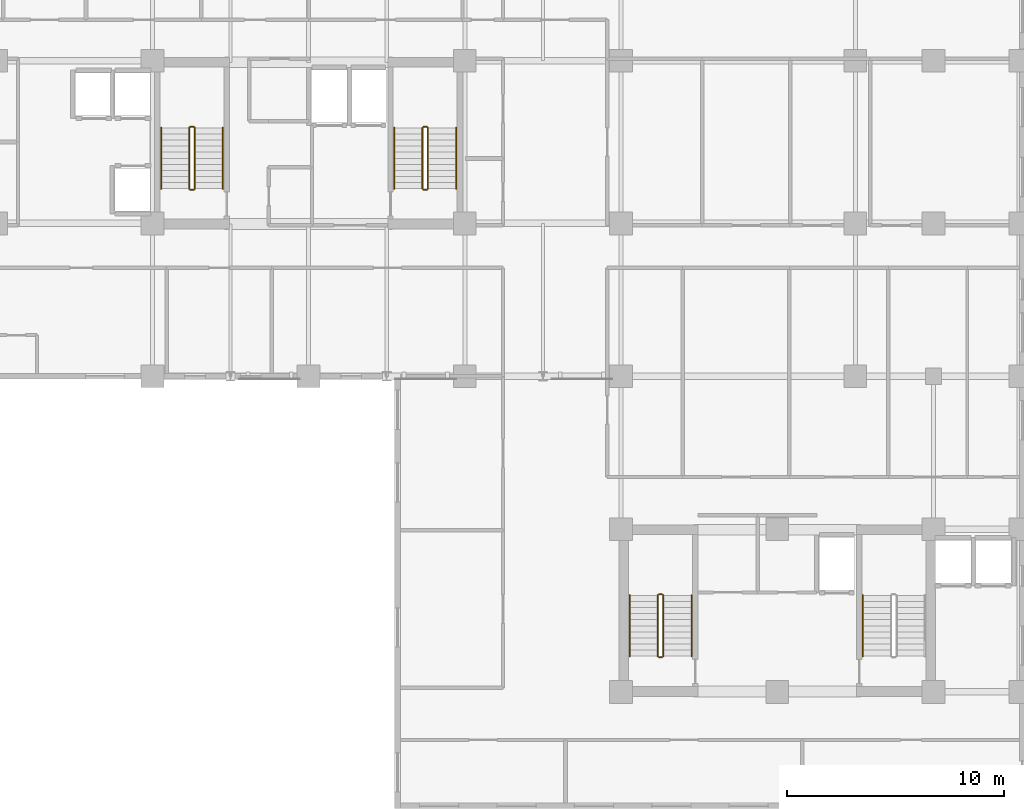
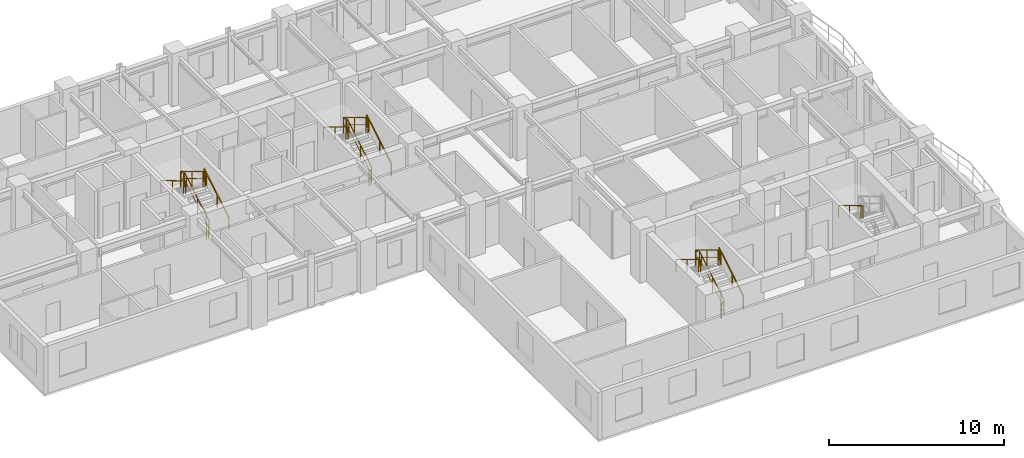
# One storey, part 11 of 13: 19 railings.
"""IFC4 building model written with IfcOpenShell, lengths in metres."""

from ifc_helpers import new_model, si_unit, direction, frame, origin, origin_2d, place, context, subcontext, project, spatial, rectangle, extrude, material, type_object, element, save


model = new_model("IFC4")

# Units and contexts
model_context = context("Model", 3, precision=1e-05, world=origin(), true_north=direction((0.0, 1.0)))
body_context = subcontext(model_context, "Body", "Model", "MODEL_VIEW")
ifc_project = project(units=[si_unit("LENGTHUNIT", "METRE"), si_unit("AREAUNIT", "SQUARE_METRE"), si_unit("VOLUMEUNIT", "CUBIC_METRE"), si_unit("PLANEANGLEUNIT", "RADIAN"), si_unit("MASSUNIT", "GRAM", prefix="KILO")], contexts=[model_context])

# Site, building, storey
site_placement = place(None, origin())
site = spatial("IfcSite", under=ifc_project, at=site_placement, CompositionType="ELEMENT")
building_placement = place(site_placement, origin())
building = spatial("IfcBuilding", under=site, at=building_placement, Name="Kaliganga Portal Commons", CompositionType="ELEMENT")
storey_placement = place(building_placement, frame((0.0, 0.0, 188.300048828125)))
storey = spatial("IfcBuildingStorey", under=building, at=storey_placement, Name="L48", CompositionType="ELEMENT", Elevation=188.300048828125)

# Railings
ifc_material_1 = material(Name="Galvanized Painted Steel Balustrade", Category="steel")
railing_type_1 = type_object("IfcRailingType", Name="RLG-STAIR-GRD", PredefinedType="GUARDRAIL", material=ifc_material_1)
railing_1_placement = place(storey_placement, frame((16.35009765625, 30.25, 0.168212890625)))
element("IfcRailing", 1, at=railing_1_placement, inside=storey, type_object=railing_type_1, Name="L48 ST-A1 stair guard 1", PredefinedType="GUARDRAIL", context=body_context, shape_type="SweptSolid", body=[
    extrude(rectangle(XDim=0.048095703125, YDim=0.048095703125, at=origin_2d()), frame((0.0, 0.0, 1.072021484375), z_axis=(0.0, 0.857275202839, 0.514858452973), x_axis=(-1.0, 0.0, 0.0)), (0.0, 0.0, 1.0), 3.26611328125),
    extrude(rectangle(XDim=0.028076171875, YDim=0.028076171875, at=origin_2d()), frame((0.0, 0.0, 0.572021484375), z_axis=(0.0, 0.857275202839, 0.514858452973), x_axis=(-1.0, 0.0, 0.0)), (0.0, 0.0, 1.0), 3.26611328125),
    extrude(rectangle(XDim=0.0419921875, YDim=0.0419921875, at=origin_2d()), origin(), (0.0, 0.0, 1.0), 1.052001953125),
    extrude(rectangle(XDim=0.0419921875, YDim=0.0419921875, at=origin_2d()), frame((0.0, 1.285888671875, 0.772216796875)), (0.0, 0.0, 1.0), 1.052001953125),
    extrude(rectangle(XDim=0.0419921875, YDim=0.0419921875, at=origin_2d()), frame((0.0, 2.57177734375, 1.544677734375)), (0.0, 0.0, 1.0), 1.052001953125),
    extrude(rectangle(XDim=0.0419921875, YDim=0.0419921875, at=origin_2d()), frame((0.0, 2.800048828125, 1.681640625)), (0.0, 0.0, 1.0), 1.052001953125),
])
railing_2_placement = place(storey_placement, frame((16.300048828125, 33.10009765625, 1.849853515625)))
element("IfcRailing", 2, at=railing_2_placement, inside=storey, type_object=railing_type_1, Name="L48 ST-A1 stair guard 2", PredefinedType="GUARDRAIL", context=body_context, shape_type="SweptSolid", body=[
    extrude(rectangle(XDim=0.048095703125, YDim=0.048095703125, at=origin_2d()), frame((0.0, 0.0, 1.076171875), z_axis=(-1.0, 0.0, 0.0), x_axis=(0.0, -1.0, 0.0)), (0.0, 0.0, 1.0), 0.150146484375),
    extrude(rectangle(XDim=0.028076171875, YDim=0.028076171875, at=origin_2d()), frame((0.0, 0.0, 0.572021484375), z_axis=(-1.0, 0.0, 0.0), x_axis=(0.0, -1.0, 0.0)), (0.0, 0.0, 1.0), 0.150146484375),
    extrude(rectangle(XDim=0.0419921875, YDim=0.0419921875, at=origin_2d()), origin(), (0.0, 0.0, 1.0), 1.052001953125),
    extrude(rectangle(XDim=0.0419921875, YDim=0.0419921875, at=origin_2d()), frame((-0.150146484375, 0.0, 0.0)), (0.0, 0.0, 1.0), 1.052001953125),
])
railing_3_placement = place(storey_placement, frame((16.10009765625, 33.050048828125, 2.01806640625)))
element("IfcRailing", 3, at=railing_3_placement, inside=storey, type_object=railing_type_1, Name="L48 ST-A1 stair guard 3", PredefinedType="GUARDRAIL", context=body_context, shape_type="SweptSolid", body=[
    extrude(rectangle(XDim=0.048095703125, YDim=0.048095703125, at=origin_2d()), frame((0.0, 0.0, 1.072021484375), z_axis=(0.0, -0.857242210791, 0.514913383045), x_axis=(1.0, 0.0, 0.0)), (0.0, 0.0, 1.0), 3.266357421875),
    extrude(rectangle(XDim=0.028076171875, YDim=0.028076171875, at=origin_2d()), frame((0.0, 0.0, 0.572021484375), z_axis=(0.0, -0.857242210791, 0.514913383045), x_axis=(1.0, 0.0, 0.0)), (0.0, 0.0, 1.0), 3.266357421875),
    extrude(rectangle(XDim=0.0419921875, YDim=0.0419921875, at=origin_2d()), origin(), (0.0, 0.0, 1.0), 1.052001953125),
    extrude(rectangle(XDim=0.0419921875, YDim=0.0419921875, at=origin_2d()), frame((0.0, -1.285888671875, 0.7724609375)), (0.0, 0.0, 1.0), 1.052001953125),
    extrude(rectangle(XDim=0.0419921875, YDim=0.0419921875, at=origin_2d()), frame((0.0, -2.57177734375, 1.544677734375)), (0.0, 0.0, 1.0), 1.052001953125),
    extrude(rectangle(XDim=0.0419921875, YDim=0.0419921875, at=origin_2d()), frame((0.0, -2.800048828125, 1.681884765625)), (0.0, 0.0, 1.0), 1.052001953125),
])
railing_4_placement = place(storey_placement, frame((16.300048828125, 30.199951171875, 0.0)))
element("IfcRailing", 4, at=railing_4_placement, inside=storey, type_object=railing_type_1, Name="L48 ST-A1 stair guard 4", PredefinedType="GUARDRAIL", context=body_context, shape_type="SweptSolid", body=[
    extrude(rectangle(XDim=0.048095703125, YDim=0.048095703125, at=origin_2d()), frame((0.0, 0.0, 1.076171875), z_axis=(-1.0, 0.0, 0.0), x_axis=(0.0, -1.0, 0.0)), (0.0, 0.0, 1.0), 0.150146484375),
    extrude(rectangle(XDim=0.028076171875, YDim=0.028076171875, at=origin_2d()), frame((0.0, 0.0, 0.572021484375), z_axis=(-1.0, 0.0, 0.0), x_axis=(0.0, -1.0, 0.0)), (0.0, 0.0, 1.0), 0.150146484375),
    extrude(rectangle(XDim=0.0419921875, YDim=0.0419921875, at=origin_2d()), origin(), (0.0, 0.0, 1.0), 1.052001953125),
    extrude(rectangle(XDim=0.0419921875, YDim=0.0419921875, at=origin_2d()), frame((-0.150146484375, 0.0, 0.0)), (0.0, 0.0, 1.0), 1.052001953125),
])
railing_5_placement = place(storey_placement, frame((27.10009765625, 30.25, 0.168212890625)))
element("IfcRailing", 5, at=railing_5_placement, inside=storey, type_object=railing_type_1, Name="L48 ST-A2 stair guard 1", PredefinedType="GUARDRAIL", context=body_context, shape_type="SweptSolid", body=[
    extrude(rectangle(XDim=0.048095703125, YDim=0.048095703125, at=origin_2d()), frame((0.0, 0.0, 1.072021484375), z_axis=(0.0, 0.857275202839, 0.514858452973), x_axis=(-1.0, 0.0, 0.0)), (0.0, 0.0, 1.0), 3.26611328125),
    extrude(rectangle(XDim=0.028076171875, YDim=0.028076171875, at=origin_2d()), frame((0.0, 0.0, 0.572021484375), z_axis=(0.0, 0.857275202839, 0.514858452973), x_axis=(-1.0, 0.0, 0.0)), (0.0, 0.0, 1.0), 3.26611328125),
    extrude(rectangle(XDim=0.0419921875, YDim=0.0419921875, at=origin_2d()), origin(), (0.0, 0.0, 1.0), 1.052001953125),
    extrude(rectangle(XDim=0.0419921875, YDim=0.0419921875, at=origin_2d()), frame((0.0, 1.285888671875, 0.772216796875)), (0.0, 0.0, 1.0), 1.052001953125),
    extrude(rectangle(XDim=0.0419921875, YDim=0.0419921875, at=origin_2d()), frame((0.0, 2.57177734375, 1.544677734375)), (0.0, 0.0, 1.0), 1.052001953125),
    extrude(rectangle(XDim=0.0419921875, YDim=0.0419921875, at=origin_2d()), frame((0.0, 2.800048828125, 1.681640625)), (0.0, 0.0, 1.0), 1.052001953125),
])
railing_6_placement = place(storey_placement, frame((27.050048828125, 33.10009765625, 1.849853515625)))
element("IfcRailing", 6, at=railing_6_placement, inside=storey, type_object=railing_type_1, Name="L48 ST-A2 stair guard 2", PredefinedType="GUARDRAIL", context=body_context, shape_type="SweptSolid", body=[
    extrude(rectangle(XDim=0.048095703125, YDim=0.048095703125, at=origin_2d()), frame((0.0, 0.0, 1.076171875), z_axis=(-1.0, 0.0, 0.0), x_axis=(0.0, -1.0, 0.0)), (0.0, 0.0, 1.0), 0.150146484375),
    extrude(rectangle(XDim=0.028076171875, YDim=0.028076171875, at=origin_2d()), frame((0.0, 0.0, 0.572021484375), z_axis=(-1.0, 0.0, 0.0), x_axis=(0.0, -1.0, 0.0)), (0.0, 0.0, 1.0), 0.150146484375),
    extrude(rectangle(XDim=0.0419921875, YDim=0.0419921875, at=origin_2d()), origin(), (0.0, 0.0, 1.0), 1.052001953125),
    extrude(rectangle(XDim=0.0419921875, YDim=0.0419921875, at=origin_2d()), frame((-0.150146484375, 0.0, 0.0)), (0.0, 0.0, 1.0), 1.052001953125),
])
railing_7_placement = place(storey_placement, frame((26.85009765625, 33.050048828125, 2.01806640625)))
element("IfcRailing", 7, at=railing_7_placement, inside=storey, type_object=railing_type_1, Name="L48 ST-A2 stair guard 3", PredefinedType="GUARDRAIL", context=body_context, shape_type="SweptSolid", body=[
    extrude(rectangle(XDim=0.048095703125, YDim=0.048095703125, at=origin_2d()), frame((0.0, 0.0, 1.072021484375), z_axis=(0.0, -0.857242210791, 0.514913383045), x_axis=(1.0, 0.0, 0.0)), (0.0, 0.0, 1.0), 3.266357421875),
    extrude(rectangle(XDim=0.028076171875, YDim=0.028076171875, at=origin_2d()), frame((0.0, 0.0, 0.572021484375), z_axis=(0.0, -0.857242210791, 0.514913383045), x_axis=(1.0, 0.0, 0.0)), (0.0, 0.0, 1.0), 3.266357421875),
    extrude(rectangle(XDim=0.0419921875, YDim=0.0419921875, at=origin_2d()), origin(), (0.0, 0.0, 1.0), 1.052001953125),
    extrude(rectangle(XDim=0.0419921875, YDim=0.0419921875, at=origin_2d()), frame((0.0, -1.285888671875, 0.7724609375)), (0.0, 0.0, 1.0), 1.052001953125),
    extrude(rectangle(XDim=0.0419921875, YDim=0.0419921875, at=origin_2d()), frame((0.0, -2.57177734375, 1.544677734375)), (0.0, 0.0, 1.0), 1.052001953125),
    extrude(rectangle(XDim=0.0419921875, YDim=0.0419921875, at=origin_2d()), frame((0.0, -2.800048828125, 1.681884765625)), (0.0, 0.0, 1.0), 1.052001953125),
])
railing_8_placement = place(storey_placement, frame((27.050048828125, 30.199951171875, 0.0)))
element("IfcRailing", 8, at=railing_8_placement, inside=storey, type_object=railing_type_1, Name="L48 ST-A2 stair guard 4", PredefinedType="GUARDRAIL", context=body_context, shape_type="SweptSolid", body=[
    extrude(rectangle(XDim=0.048095703125, YDim=0.048095703125, at=origin_2d()), frame((0.0, 0.0, 1.076171875), z_axis=(-1.0, 0.0, 0.0), x_axis=(0.0, -1.0, 0.0)), (0.0, 0.0, 1.0), 0.150146484375),
    extrude(rectangle(XDim=0.028076171875, YDim=0.028076171875, at=origin_2d()), frame((0.0, 0.0, 0.572021484375), z_axis=(-1.0, 0.0, 0.0), x_axis=(0.0, -1.0, 0.0)), (0.0, 0.0, 1.0), 0.150146484375),
    extrude(rectangle(XDim=0.0419921875, YDim=0.0419921875, at=origin_2d()), origin(), (0.0, 0.0, 1.0), 1.052001953125),
    extrude(rectangle(XDim=0.0419921875, YDim=0.0419921875, at=origin_2d()), frame((-0.150146484375, 0.0, 0.0)), (0.0, 0.0, 1.0), 1.052001953125),
])
railing_9_placement = place(storey_placement, frame((37.949951171875, 8.699951171875, 0.168212890625)))
element("IfcRailing", 9, at=railing_9_placement, inside=storey, type_object=railing_type_1, Name="L48 ST-B1 stair guard 1", PredefinedType="GUARDRAIL", context=body_context, shape_type="SweptSolid", body=[
    extrude(rectangle(XDim=0.048095703125, YDim=0.048095703125, at=origin_2d()), frame((0.0, 0.0, 1.072021484375), z_axis=(0.0, 0.857275202839, 0.514858452973), x_axis=(-1.0, 0.0, 0.0)), (0.0, 0.0, 1.0), 3.26611328125),
    extrude(rectangle(XDim=0.028076171875, YDim=0.028076171875, at=origin_2d()), frame((0.0, 0.0, 0.572021484375), z_axis=(0.0, 0.857275202839, 0.514858452973), x_axis=(-1.0, 0.0, 0.0)), (0.0, 0.0, 1.0), 3.26611328125),
    extrude(rectangle(XDim=0.0419921875, YDim=0.0419921875, at=origin_2d()), origin(), (0.0, 0.0, 1.0), 1.052001953125),
    extrude(rectangle(XDim=0.0419921875, YDim=0.0419921875, at=origin_2d()), frame((0.0, 1.285888671875, 0.772216796875)), (0.0, 0.0, 1.0), 1.052001953125),
    extrude(rectangle(XDim=0.0419921875, YDim=0.0419921875, at=origin_2d()), frame((0.0, 2.57177734375, 1.544677734375)), (0.0, 0.0, 1.0), 1.052001953125),
    extrude(rectangle(XDim=0.0419921875, YDim=0.0419921875, at=origin_2d()), frame((0.0, 2.800048828125, 1.681640625)), (0.0, 0.0, 1.0), 1.052001953125),
])
railing_10_placement = place(storey_placement, frame((37.89990234375, 11.550048828125, 1.849853515625)))
element("IfcRailing", 10, at=railing_10_placement, inside=storey, type_object=railing_type_1, Name="L48 ST-B1 stair guard 2", PredefinedType="GUARDRAIL", context=body_context, shape_type="SweptSolid", body=[
    extrude(rectangle(XDim=0.048095703125, YDim=0.048095703125, at=origin_2d()), frame((0.0, 0.0, 1.076171875), z_axis=(-1.0, 0.0, 0.0), x_axis=(0.0, -1.0, 0.0)), (0.0, 0.0, 1.0), 0.14990234375),
    extrude(rectangle(XDim=0.028076171875, YDim=0.028076171875, at=origin_2d()), frame((0.0, 0.0, 0.572021484375), z_axis=(-1.0, 0.0, 0.0), x_axis=(0.0, -1.0, 0.0)), (0.0, 0.0, 1.0), 0.14990234375),
    extrude(rectangle(XDim=0.0419921875, YDim=0.0419921875, at=origin_2d()), frame((-0.14990234375, 0.0, 0.0)), (0.0, 0.0, 1.0), 1.052001953125),
])
railing_11_placement = place(storey_placement, frame((37.699951171875, 11.5, 2.01806640625)))
element("IfcRailing", 11, at=railing_11_placement, inside=storey, type_object=railing_type_1, Name="L48 ST-B1 stair guard 3", PredefinedType="GUARDRAIL", context=body_context, shape_type="SweptSolid", body=[
    extrude(rectangle(XDim=0.048095703125, YDim=0.048095703125, at=origin_2d()), frame((0.0, 0.0, 1.072021484375), z_axis=(0.0, -0.857242210791, 0.514913383045), x_axis=(1.0, 0.0, 0.0)), (0.0, 0.0, 1.0), 3.266357421875),
    extrude(rectangle(XDim=0.028076171875, YDim=0.028076171875, at=origin_2d()), frame((0.0, 0.0, 0.572021484375), z_axis=(0.0, -0.857242210791, 0.514913383045), x_axis=(1.0, 0.0, 0.0)), (0.0, 0.0, 1.0), 3.266357421875),
    extrude(rectangle(XDim=0.0419921875, YDim=0.0419921875, at=origin_2d()), origin(), (0.0, 0.0, 1.0), 1.052001953125),
    extrude(rectangle(XDim=0.0419921875, YDim=0.0419921875, at=origin_2d()), frame((0.0, -1.285888671875, 0.7724609375)), (0.0, 0.0, 1.0), 1.052001953125),
    extrude(rectangle(XDim=0.0419921875, YDim=0.0419921875, at=origin_2d()), frame((0.0, -2.57177734375, 1.544677734375)), (0.0, 0.0, 1.0), 1.052001953125),
    extrude(rectangle(XDim=0.0419921875, YDim=0.0419921875, at=origin_2d()), frame((0.0, -2.800048828125, 1.681884765625)), (0.0, 0.0, 1.0), 1.052001953125),
])
railing_12_placement = place(storey_placement, frame((37.89990234375, 8.64990234375, 0.0)))
element("IfcRailing", 12, at=railing_12_placement, inside=storey, type_object=railing_type_1, Name="L48 ST-B1 stair guard 4", PredefinedType="GUARDRAIL", context=body_context, shape_type="SweptSolid", body=[
    extrude(rectangle(XDim=0.048095703125, YDim=0.048095703125, at=origin_2d()), frame((0.0, 0.0, 1.076171875), z_axis=(-1.0, 0.0, 0.0), x_axis=(0.0, -1.0, 0.0)), (0.0, 0.0, 1.0), 0.14990234375),
    extrude(rectangle(XDim=0.028076171875, YDim=0.028076171875, at=origin_2d()), frame((0.0, 0.0, 0.572021484375), z_axis=(-1.0, 0.0, 0.0), x_axis=(0.0, -1.0, 0.0)), (0.0, 0.0, 1.0), 0.14990234375),
    extrude(rectangle(XDim=0.0419921875, YDim=0.0419921875, at=origin_2d()), frame((-0.14990234375, 0.0, 0.0)), (0.0, 0.0, 1.0), 1.052001953125),
])
ifc_material_2 = material(Name="Brushed Stainless Steel 316", Category="steel")
railing_type_2 = type_object("IfcRailingType", Name="RLG-STAIR-HR", PredefinedType="HANDRAIL", material=ifc_material_2)
railing_13_placement = place(storey_placement, frame((17.64990234375, 30.25, 0.168212890625)))
element("IfcRailing", 13, at=railing_13_placement, inside=storey, type_object=railing_type_2, Name="L48 ST-A1 stair handrail 1", PredefinedType="HANDRAIL", context=body_context, shape_type="SweptSolid", body=[
    extrude(rectangle(XDim=0.048095703125, YDim=0.048095703125, at=origin_2d()), frame((0.0, 0.0, 0.871826171875), z_axis=(0.0, 0.857275202839, 0.514858452973), x_axis=(-1.0, 0.0, 0.0)), (0.0, 0.0, 1.0), 3.26611328125),
    extrude(rectangle(XDim=0.0419921875, YDim=0.0419921875, at=origin_2d()), origin(), (0.0, 0.0, 1.0), 0.851806640625),
    extrude(rectangle(XDim=0.0419921875, YDim=0.0419921875, at=origin_2d()), frame((0.0, 1.285888671875, 0.772216796875)), (0.0, 0.0, 1.0), 0.851806640625),
    extrude(rectangle(XDim=0.0419921875, YDim=0.0419921875, at=origin_2d()), frame((0.0, 2.57177734375, 1.544677734375)), (0.0, 0.0, 1.0), 0.851806640625),
    extrude(rectangle(XDim=0.0419921875, YDim=0.0419921875, at=origin_2d()), frame((0.0, 2.800048828125, 1.681640625)), (0.0, 0.0, 1.0), 0.851806640625),
])
railing_14_placement = place(storey_placement, frame((14.800048828125, 33.050048828125, 2.01806640625)))
element("IfcRailing", 14, at=railing_14_placement, inside=storey, type_object=railing_type_2, Name="L48 ST-A1 stair handrail 2", PredefinedType="HANDRAIL", context=body_context, shape_type="SweptSolid", body=[
    extrude(rectangle(XDim=0.048095703125, YDim=0.048095703125, at=origin_2d()), frame((0.0, 0.0, 0.871826171875), z_axis=(0.0, -0.857242210791, 0.514913383045), x_axis=(1.0, 0.0, 0.0)), (0.0, 0.0, 1.0), 3.266357421875),
    extrude(rectangle(XDim=0.0419921875, YDim=0.0419921875, at=origin_2d()), origin(), (0.0, 0.0, 1.0), 0.851806640625),
    extrude(rectangle(XDim=0.0419921875, YDim=0.0419921875, at=origin_2d()), frame((0.0, -1.285888671875, 0.7724609375)), (0.0, 0.0, 1.0), 0.851806640625),
    extrude(rectangle(XDim=0.0419921875, YDim=0.0419921875, at=origin_2d()), frame((0.0, -2.57177734375, 1.544677734375)), (0.0, 0.0, 1.0), 0.851806640625),
    extrude(rectangle(XDim=0.0419921875, YDim=0.0419921875, at=origin_2d()), frame((0.0, -2.800048828125, 1.681884765625)), (0.0, 0.0, 1.0), 0.851806640625),
])
railing_15_placement = place(storey_placement, frame((28.39990234375, 30.25, 0.168212890625)))
element("IfcRailing", 15, at=railing_15_placement, inside=storey, type_object=railing_type_2, Name="L48 ST-A2 stair handrail 1", PredefinedType="HANDRAIL", context=body_context, shape_type="SweptSolid", body=[
    extrude(rectangle(XDim=0.048095703125, YDim=0.048095703125, at=origin_2d()), frame((0.0, 0.0, 0.871826171875), z_axis=(0.0, 0.857275202839, 0.514858452973), x_axis=(-1.0, 0.0, 0.0)), (0.0, 0.0, 1.0), 3.26611328125),
    extrude(rectangle(XDim=0.0419921875, YDim=0.0419921875, at=origin_2d()), origin(), (0.0, 0.0, 1.0), 0.851806640625),
    extrude(rectangle(XDim=0.0419921875, YDim=0.0419921875, at=origin_2d()), frame((0.0, 1.285888671875, 0.772216796875)), (0.0, 0.0, 1.0), 0.851806640625),
    extrude(rectangle(XDim=0.0419921875, YDim=0.0419921875, at=origin_2d()), frame((0.0, 2.57177734375, 1.544677734375)), (0.0, 0.0, 1.0), 0.851806640625),
    extrude(rectangle(XDim=0.0419921875, YDim=0.0419921875, at=origin_2d()), frame((0.0, 2.800048828125, 1.681640625)), (0.0, 0.0, 1.0), 0.851806640625),
])
railing_16_placement = place(storey_placement, frame((25.550048828125, 33.050048828125, 2.01806640625)))
element("IfcRailing", 16, at=railing_16_placement, inside=storey, type_object=railing_type_2, Name="L48 ST-A2 stair handrail 2", PredefinedType="HANDRAIL", context=body_context, shape_type="SweptSolid", body=[
    extrude(rectangle(XDim=0.048095703125, YDim=0.048095703125, at=origin_2d()), frame((0.0, 0.0, 0.871826171875), z_axis=(0.0, -0.857242210791, 0.514913383045), x_axis=(1.0, 0.0, 0.0)), (0.0, 0.0, 1.0), 3.266357421875),
    extrude(rectangle(XDim=0.0419921875, YDim=0.0419921875, at=origin_2d()), origin(), (0.0, 0.0, 1.0), 0.851806640625),
    extrude(rectangle(XDim=0.0419921875, YDim=0.0419921875, at=origin_2d()), frame((0.0, -1.285888671875, 0.7724609375)), (0.0, 0.0, 1.0), 0.851806640625),
    extrude(rectangle(XDim=0.0419921875, YDim=0.0419921875, at=origin_2d()), frame((0.0, -2.57177734375, 1.544677734375)), (0.0, 0.0, 1.0), 0.851806640625),
    extrude(rectangle(XDim=0.0419921875, YDim=0.0419921875, at=origin_2d()), frame((0.0, -2.800048828125, 1.681884765625)), (0.0, 0.0, 1.0), 0.851806640625),
])
railing_17_placement = place(storey_placement, frame((39.25, 8.699951171875, 0.168212890625)))
element("IfcRailing", 17, at=railing_17_placement, inside=storey, type_object=railing_type_2, Name="L48 ST-B1 stair handrail 1", PredefinedType="HANDRAIL", context=body_context, shape_type="SweptSolid", body=[
    extrude(rectangle(XDim=0.048095703125, YDim=0.048095703125, at=origin_2d()), frame((0.0, 0.0, 0.871826171875), z_axis=(0.0, 0.857275202839, 0.514858452973), x_axis=(-1.0, 0.0, 0.0)), (0.0, 0.0, 1.0), 3.26611328125),
    extrude(rectangle(XDim=0.0419921875, YDim=0.0419921875, at=origin_2d()), origin(), (0.0, 0.0, 1.0), 0.851806640625),
    extrude(rectangle(XDim=0.0419921875, YDim=0.0419921875, at=origin_2d()), frame((0.0, 1.285888671875, 0.772216796875)), (0.0, 0.0, 1.0), 0.851806640625),
    extrude(rectangle(XDim=0.0419921875, YDim=0.0419921875, at=origin_2d()), frame((0.0, 2.57177734375, 1.544677734375)), (0.0, 0.0, 1.0), 0.851806640625),
    extrude(rectangle(XDim=0.0419921875, YDim=0.0419921875, at=origin_2d()), frame((0.0, 2.800048828125, 1.681640625)), (0.0, 0.0, 1.0), 0.851806640625),
])
for number, where, name in (
    (18, (36.39990234375, 11.5, 2.01806640625), "L48 ST-B1 stair handrail 2"),
    (19, (47.14990234375, 11.5, 2.01806640625), "L48 ST-B2 stair handrail 2"),
):
    element("IfcRailing", number, at=place(storey_placement, frame(where)), inside=storey, type_object=railing_type_2, Name=name, PredefinedType="HANDRAIL", context=body_context, shape_type="SweptSolid", body=[
        extrude(rectangle(XDim=0.048095703125, YDim=0.048095703125, at=origin_2d()), frame((0.0, 0.0, 0.871826171875), z_axis=(0.0, -0.857242210791, 0.514913383045), x_axis=(1.0, 0.0, 0.0)), (0.0, 0.0, 1.0), 3.266357421875),
        extrude(rectangle(XDim=0.0419921875, YDim=0.0419921875, at=origin_2d()), origin(), (0.0, 0.0, 1.0), 0.851806640625),
        extrude(rectangle(XDim=0.0419921875, YDim=0.0419921875, at=origin_2d()), frame((0.0, -1.285888671875, 0.7724609375)), (0.0, 0.0, 1.0), 0.851806640625),
        extrude(rectangle(XDim=0.0419921875, YDim=0.0419921875, at=origin_2d()), frame((0.0, -2.57177734375, 1.544677734375)), (0.0, 0.0, 1.0), 0.851806640625),
        extrude(rectangle(XDim=0.0419921875, YDim=0.0419921875, at=origin_2d()), frame((0.0, -2.800048828125, 1.681884765625)), (0.0, 0.0, 1.0), 0.851806640625),
    ])

save(model, "model.ifc")
